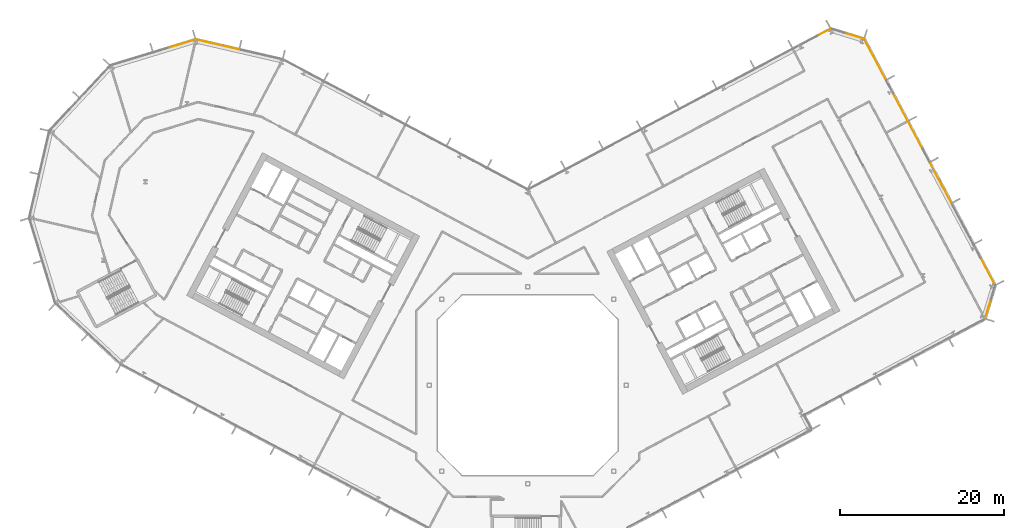
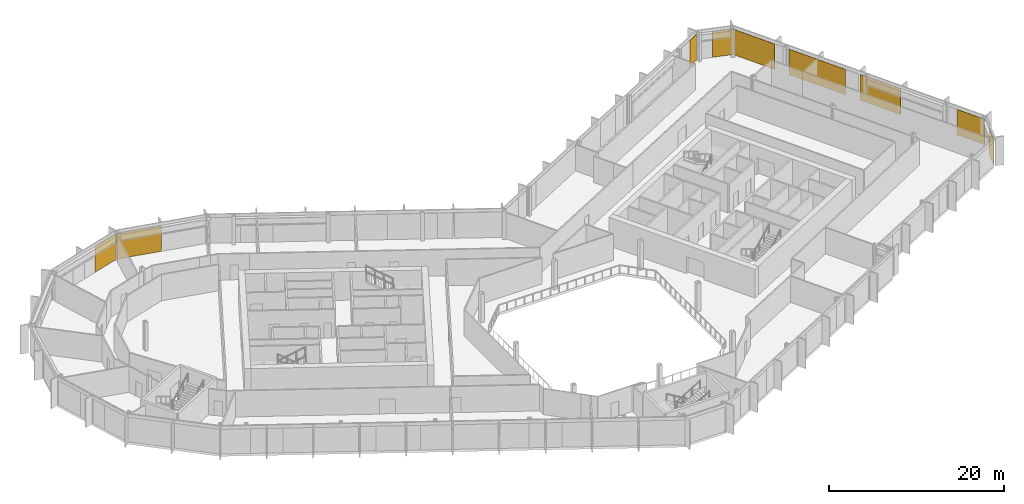
# One storey, part 28 of 28: 9 coverings, 6 elements without a shape of their own.
"""IFC4 building model written with IfcOpenShell, lengths in metres."""

from ifc_helpers import new_model, si_unit, direction, frame, origin, origin_2d, place, context, subcontext, project, spatial, rectangle, extrude, material, layer, layer_set, type_object, element, aggregate, save


model = new_model("IFC4")

# Units and contexts
model_context = context("Model", 3, precision=1e-05, world=origin(), true_north=direction((0.0, 1.0)))
body_context = subcontext(model_context, "Body", "Model", "MODEL_VIEW")
ifc_project = project(units=[si_unit("LENGTHUNIT", "METRE"), si_unit("AREAUNIT", "SQUARE_METRE"), si_unit("VOLUMEUNIT", "CUBIC_METRE"), si_unit("PLANEANGLEUNIT", "RADIAN"), si_unit("MASSUNIT", "GRAM", prefix="KILO")], contexts=[model_context])

# Site, building, storey
site_placement = place(None, origin())
site = spatial("IfcSite", under=ifc_project, at=site_placement, CompositionType="ELEMENT")
building_placement = place(site_placement, origin())
building = spatial("IfcBuilding", under=site, at=building_placement, Name="Cormorant Relay Tower", CompositionType="ELEMENT")
storey_placement = place(building_placement, frame((0.0, 0.0, 170.199951171875)))
storey = spatial("IfcBuildingStorey", under=building, at=storey_placement, Name="L36", CompositionType="ELEMENT", Elevation=170.199951171875)

# Curtain wall, covering
ifc_material_1 = material(Name="Aluminium 6063-T6 anodised bronze", Category="aluminium")
ifc_layer_1 = layer(ifc_material_1, 0.199951171875)
ifc_layer_set_1 = layer_set([ifc_layer_1], Name="CW1 unitised bronze curtain wall with vertical fins")
curtain_wall_type = type_object("IfcCurtainWallType", Name="CW1 unitised bronze curtain wall with vertical fins", PredefinedType="NOTDEFINED", material=ifc_layer_set_1)
curtain_wall_1_placement = place(storey_placement, origin())
curtain_wall_1 = element("IfcCurtainWall", 1, at=curtain_wall_1_placement, inside=storey, type_object=curtain_wall_type, Name="CW1 curtain wall 5", PredefinedType="NOTDEFINED")
ifc_material_2 = material(Name="Pale bronze anodised aluminium insulated panel", Category="aluminium")
ifc_layer_2 = layer(ifc_material_2, 0.0400390625)
ifc_layer_set_2 = layer_set([ifc_layer_2], Name="CW1 pale bronze insulated panel 40")
covering_type = type_object("IfcCoveringType", Name="CW1 pale bronze insulated panel 40", PredefinedType="CLADDING", material=ifc_layer_set_2)
covering_1_placement = place(storey_placement, frame((56.103515625, 9.303955078125, 0.0), z_axis=(0.0, 0.0, 1.0), x_axis=(0.292371704723, 0.956304755963, 0.0)))
covering_1 = element("IfcCovering", 2, at=covering_1_placement, type_object=covering_type, Name="CW1 panel S00", PredefinedType="CLADDING", context=body_context, shape_type="SweptSolid", body=[
    extrude(rectangle(XDim=2.36767578125, YDim=0.0400390625, at=origin_2d()), origin(), (0.0, 0.0, 1.0), 3.550048828125),
])
aggregate(curtain_wall_1, [covering_1])

# Curtain wall, coverings
curtain_wall_2_placement = place(storey_placement, origin())
curtain_wall_2 = element("IfcCurtainWall", 3, at=curtain_wall_2_placement, inside=storey, type_object=curtain_wall_type, Name="CW1 curtain wall 6", PredefinedType="NOTDEFINED")
covering_2_placement = place(storey_placement, frame((56.066650390625, 13.879638671875, 0.0), z_axis=(0.0, 0.0, 1.0), x_axis=(-0.469471562786, 0.882947592859, 0.0)))
covering_2 = element("IfcCovering", 4, at=covering_2_placement, type_object=covering_type, Name="CW1 panel S00", PredefinedType="CLADDING", context=body_context, shape_type="SweptSolid", body=[
    extrude(rectangle(XDim=3.716796875, YDim=0.0400390625, at=origin_2d()), origin(), (0.0, 0.0, 1.0), 3.550048828125),
])
covering_3_placement = place(storey_placement, frame((50.323486328125, 24.68115234375, 0.0), z_axis=(0.0, 0.0, 1.0), x_axis=(-0.469471562786, 0.882947592859, 0.0)))
covering_3 = element("IfcCovering", 5, at=covering_3_placement, type_object=covering_type, Name="CW1 panel S03", PredefinedType="CLADDING", context=body_context, shape_type="SweptSolid", body=[
    extrude(rectangle(XDim=5.5166015625, YDim=0.0400390625, at=origin_2d()), origin(), (0.0, 0.0, 1.0), 3.550048828125),
])
covering_4_placement = place(storey_placement, frame((46.3330078125, 32.18603515625, 0.0), z_axis=(0.0, 0.0, 1.0), x_axis=(-0.469471562786, 0.882947592859, 0.0)))
covering_4 = element("IfcCovering", 6, at=covering_4_placement, type_object=covering_type, Name="CW1 panel S05", PredefinedType="CLADDING", context=body_context, shape_type="SweptSolid", body=[
    extrude(rectangle(XDim=7.583251953125, YDim=0.0400390625, at=origin_2d()), origin(), (0.0, 0.0, 1.0), 3.550048828125),
])
covering_5_placement = place(storey_placement, frame((42.32470703125, 39.724365234375, 0.0), z_axis=(0.0, 0.0, 1.0), x_axis=(-0.469471562786, 0.882947592859, 0.0)))
covering_5 = element("IfcCovering", 7, at=covering_5_placement, type_object=covering_type, Name="CW1 panel S07", PredefinedType="CLADDING", context=body_context, shape_type="SweptSolid", body=[
    extrude(rectangle(XDim=5.591796875, YDim=0.0400390625, at=origin_2d()), origin(), (0.0, 0.0, 1.0), 3.550048828125),
])
aggregate(curtain_wall_2, [covering_2, covering_3, covering_4, covering_5])

# Curtain wall, covering
curtain_wall_3_placement = place(storey_placement, origin())
curtain_wall_3 = element("IfcCurtainWall", 8, at=curtain_wall_3_placement, inside=storey, type_object=curtain_wall_type, Name="CW1 curtain wall 7", PredefinedType="NOTDEFINED")
covering_6_placement = place(storey_placement, frame((39.796630859375, 42.570556640625, 0.0), z_axis=(0.0, 0.0, 1.0), x_axis=(-0.956304755963, 0.292371704723, 0.0)))
covering_6 = element("IfcCovering", 9, at=covering_6_placement, type_object=covering_type, Name="CW1 panel S00", PredefinedType="CLADDING", context=body_context, shape_type="SweptSolid", body=[
    extrude(rectangle(XDim=2.36767578125, YDim=0.0400390625, at=origin_2d()), origin(), (0.0, 0.0, 1.0), 3.550048828125),
])
aggregate(curtain_wall_3, [covering_6])

curtain_wall_4_placement = place(storey_placement, origin())
curtain_wall_4 = element("IfcCurtainWall", 10, at=curtain_wall_4_placement, inside=storey, type_object=curtain_wall_type, Name="CW1 curtain wall 8", PredefinedType="NOTDEFINED")
covering_7_placement = place(storey_placement, frame((36.208740234375, 43.05908203125, 0.0), z_axis=(0.0, 0.0, 1.0), x_axis=(-0.882947592859, -0.469471562786, 0.0)))
covering_7 = element("IfcCovering", 11, at=covering_7_placement, type_object=covering_type, Name="CW1 panel S00", PredefinedType="CLADDING", context=body_context, shape_type="SweptSolid", body=[
    extrude(rectangle(XDim=1.479248046875, YDim=0.0400390625, at=origin_2d()), origin(), (0.0, 0.0, 1.0), 3.550048828125),
])
aggregate(curtain_wall_4, [covering_7])

curtain_wall_5_placement = place(storey_placement, origin())
curtain_wall_5 = element("IfcCurtainWall", 12, at=curtain_wall_5_placement, inside=storey, type_object=curtain_wall_type, Name="CW1 curtain wall 10", PredefinedType="NOTDEFINED")
covering_8_placement = place(storey_placement, frame((-37.849609375, 41.530029296875, 0.0), z_axis=(0.0, 0.0, 1.0), x_axis=(-0.974370064785, 0.224951054344, 0.0)))
covering_8 = element("IfcCovering", 13, at=covering_8_placement, type_object=covering_type, Name="CW1 panel S01", PredefinedType="CLADDING", context=body_context, shape_type="SweptSolid", body=[
    extrude(rectangle(XDim=5.360107421875, YDim=0.0400390625, at=origin_2d()), origin(), (0.0, 0.0, 1.0), 3.550048828125),
])
aggregate(curtain_wall_5, [covering_8])

curtain_wall_6_placement = place(storey_placement, origin())
curtain_wall_6 = element("IfcCurtainWall", 14, at=curtain_wall_6_placement, inside=storey, type_object=curtain_wall_type, Name="CW1 curtain wall 11", PredefinedType="NOTDEFINED")
covering_9_placement = place(storey_placement, frame((-42.209716796875, 41.60107421875, 0.0), z_axis=(0.0, 0.0, 1.0), x_axis=(-0.956304755963, -0.292371704723, 0.0)))
covering_9 = element("IfcCovering", 15, at=covering_9_placement, type_object=covering_type, Name="CW1 panel S00", PredefinedType="CLADDING", context=body_context, shape_type="SweptSolid", body=[
    extrude(rectangle(XDim=3.485107421875, YDim=0.0400390625, at=origin_2d()), origin(), (0.0, 0.0, 1.0), 3.550048828125),
])
aggregate(curtain_wall_6, [covering_9])

save(model, "model.ifc")
